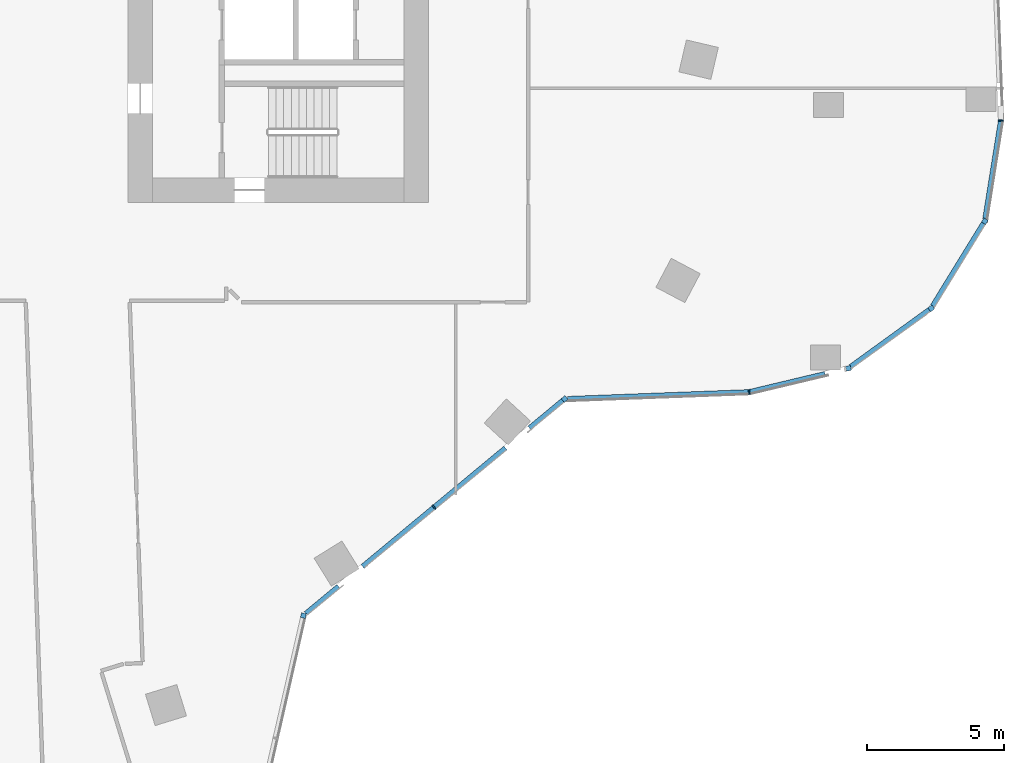
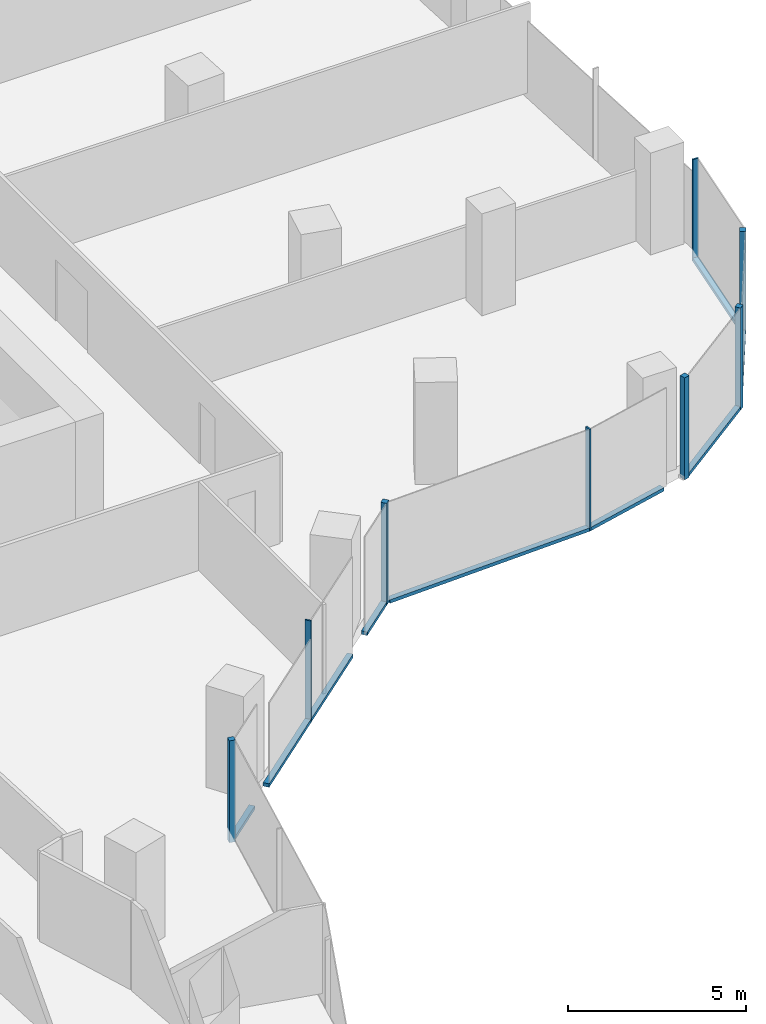
# One storey, part 8 of 23: 16 members, 7 elements without a shape of their own.
"""IFC4 building model written with IfcOpenShell, lengths in metres."""

from ifc_helpers import new_model, si_unit, direction, frame, origin, origin_2d, place, context, subcontext, project, spatial, rectangle, extrude, material, material_profile, profile_set, type_object, element, aggregate, save


model = new_model("IFC4")

# Units and contexts
model_context = context("Model", 3, precision=1e-05, world=origin(), true_north=direction((0.0, 1.0)))
body_context = subcontext(model_context, "Body", "Model", "MODEL_VIEW")
ifc_project = project(units=[si_unit("LENGTHUNIT", "METRE"), si_unit("AREAUNIT", "SQUARE_METRE"), si_unit("VOLUMEUNIT", "CUBIC_METRE"), si_unit("PLANEANGLEUNIT", "RADIAN"), si_unit("MASSUNIT", "GRAM", prefix="KILO")], contexts=[model_context])

# Site, building, storey
site_placement = place(None, origin())
site = spatial("IfcSite", under=ifc_project, at=site_placement, CompositionType="ELEMENT")
building_placement = place(site_placement, origin())
building = spatial("IfcBuilding", under=site, at=building_placement, Name="Orlundy Tower", CompositionType="ELEMENT")
storey_placement = place(building_placement, frame((0.0, 0.0, 181.10009765625)))
storey = spatial("IfcBuildingStorey", under=building, at=storey_placement, Name="L47", CompositionType="ELEMENT", Elevation=181.10009765625)

# Curtain wall, member
ifc_material_1 = material(Name="Aluminium bronze anodised", Category="aluminium")
curtain_wall_type = type_object("IfcCurtainWallType", Name="CW1 wall", PredefinedType="NOTDEFINED", material=ifc_material_1)
curtain_wall_1_placement = place(storey_placement, origin())
curtain_wall_1 = element("IfcCurtainWall", 1, at=curtain_wall_1_placement, inside=storey, type_object=curtain_wall_type, Name="CW1 run 013", PredefinedType="NOTDEFINED")
ifc_material_2 = material(Name="Aluminium bronze anodised", Category="aluminium")
ifc_material_profile_1 = material_profile(ifc_material_2, rectangle(XDim=0.179931640625, YDim=0.179931640625, at=origin_2d()), Name="CW1 corner post 180x180")
ifc_profile_set_1 = profile_set([ifc_material_profile_1], Name="Aluminium bronze anodised")
member_type_1 = type_object("IfcMemberType", Name="CW1 corner post 180x180", PredefinedType="MULLION", material=ifc_profile_set_1)
member_1_placement = place(storey_placement, frame((39.3701171875, -12.69091796875, -0.420166015625), z_axis=(0.0, 0.0, 1.0), x_axis=(0.851824977163, -0.523826505898, 0.0)))
member_1 = element("IfcMember", 2, at=member_1_placement, type_object=member_type_1, Name="CW1 mullion 37", PredefinedType="MULLION", context=body_context, shape_type="SweptSolid", body=[
    extrude(rectangle(XDim=0.179931640625, YDim=0.179931640625, at=origin_2d()), origin(), (0.0, 0.0, 1.0), 3.5),
])

curtain_wall_2_placement = place(storey_placement, origin())
curtain_wall_2 = element("IfcCurtainWall", 3, at=curtain_wall_2_placement, inside=storey, type_object=curtain_wall_type, Name="CW1 run 014", PredefinedType="NOTDEFINED")
member_2_placement = place(storey_placement, frame((37.4091796875, -15.87939453125, -0.420166015625), z_axis=(0.0, 0.0, 1.0), x_axis=(0.586534223909, -0.809924443503, 0.0)))
member_2 = element("IfcMember", 4, at=member_2_placement, type_object=member_type_1, Name="CW1 mullion 38", PredefinedType="MULLION", context=body_context, shape_type="SweptSolid", body=[
    extrude(rectangle(XDim=0.179931640625, YDim=0.179931640625, at=origin_2d()), origin(), (0.0, 0.0, 1.0), 3.5),
])

curtain_wall_3_placement = place(storey_placement, origin())
curtain_wall_3 = element("IfcCurtainWall", 5, at=curtain_wall_3_placement, inside=storey, type_object=curtain_wall_type, Name="CW1 run 015", PredefinedType="NOTDEFINED")
member_3_placement = place(storey_placement, frame((34.37841796875, -18.074462890625, -0.420166015625), z_axis=(0.0, 0.0, 1.0), x_axis=(0.232301349645, -0.972643862343, 0.0)))
member_3 = element("IfcMember", 6, at=member_3_placement, type_object=member_type_1, Name="CW1 mullion 39", PredefinedType="MULLION", context=body_context, shape_type="SweptSolid", body=[
    extrude(rectangle(XDim=0.179931640625, YDim=0.179931640625, at=origin_2d()), origin(), (0.0, 0.0, 1.0), 3.5),
])

curtain_wall_4_placement = place(storey_placement, origin())
curtain_wall_4 = element("IfcCurtainWall", 7, at=curtain_wall_4_placement, inside=storey, type_object=curtain_wall_type, Name="CW1 run 017", PredefinedType="NOTDEFINED")
member_4_placement = place(storey_placement, frame((23.989013671875, -19.19677734375, -0.420166015625), z_axis=(0.0, 0.0, 1.0), x_axis=(0.638331239674, -0.769761799816, 0.0)))
member_4 = element("IfcMember", 8, at=member_4_placement, type_object=member_type_1, Name="CW1 mullion 41", PredefinedType="MULLION", context=body_context, shape_type="SweptSolid", body=[
    extrude(rectangle(XDim=0.179931640625, YDim=0.179931640625, at=origin_2d()), origin(), (0.0, 0.0, 1.0), 3.5),
])

curtain_wall_5_placement = place(storey_placement, origin())
curtain_wall_5 = element("IfcCurtainWall", 9, at=curtain_wall_5_placement, inside=storey, type_object=curtain_wall_type, Name="CW1 run 018", PredefinedType="NOTDEFINED")
member_5_placement = place(storey_placement, frame((14.425048828125, -27.127685546875, -0.420166015625), z_axis=(0.0, 0.0, 1.0), x_axis=(0.975022425628, -0.222106437373, 0.0)))
member_5 = element("IfcMember", 10, at=member_5_placement, type_object=member_type_1, Name="CW1 mullion 43", PredefinedType="MULLION", context=body_context, shape_type="SweptSolid", body=[
    extrude(rectangle(XDim=0.179931640625, YDim=0.179931640625, at=origin_2d()), origin(), (0.0, 0.0, 1.0), 3.5),
])
aggregate(curtain_wall_5, [member_5])

curtain_wall_6_placement = place(storey_placement, origin())
curtain_wall_6 = element("IfcCurtainWall", 11, at=curtain_wall_6_placement, inside=storey, type_object=curtain_wall_type, Name="CW1 run 012", PredefinedType="NOTDEFINED")
ifc_material_3 = material(Name="Aluminium bronze anodised", Category="aluminium")
ifc_material_profile_2 = material_profile(ifc_material_3, rectangle(XDim=0.179931640625, YDim=0.050048828125, at=origin_2d()), Name="CW1 mullion 50x180")
ifc_profile_set_2 = profile_set([ifc_material_profile_2], Name="Aluminium bronze anodised")
member_type_2 = type_object("IfcMemberType", Name="CW1 mullion 50x180", PredefinedType="MULLION", material=ifc_profile_set_2)
member_6_placement = place(storey_placement, frame((39.959228515625, -9.00439453125, -0.420166015625), z_axis=(0.0, 0.0, 1.0), x_axis=(0.998180187769, -0.060301846949, 0.0)))
member_6 = element("IfcMember", 12, at=member_6_placement, type_object=member_type_2, Name="CW1 mullion 36", PredefinedType="MULLION", context=body_context, shape_type="SweptSolid", body=[
    extrude(rectangle(XDim=0.179931640625, YDim=0.050048828125, at=origin_2d()), origin(), (0.0, 0.0, 1.0), 3.5),
])

curtain_wall_7_placement = place(storey_placement, origin())
curtain_wall_7 = element("IfcCurtainWall", 13, at=curtain_wall_7_placement, inside=storey, type_object=curtain_wall_type, Name="CW1 run 016", PredefinedType="NOTDEFINED")
member_7_placement = place(storey_placement, frame((30.747314453125, -18.941650390625, -0.420166015625), z_axis=(0.0, 0.0, 1.0), x_axis=(0.135671936692, -0.990753816846, 0.0)))
member_7 = element("IfcMember", 14, at=member_7_placement, type_object=member_type_2, Name="CW1 mullion 40", PredefinedType="MULLION", context=body_context, shape_type="SweptSolid", body=[
    extrude(rectangle(XDim=0.179931640625, YDim=0.050048828125, at=origin_2d()), origin(), (0.0, 0.0, 1.0), 3.5),
])

# Member
member_8_placement = place(storey_placement, frame((19.20703125, -23.162353515625, -0.420166015625), z_axis=(0.0, 0.0, 1.0), x_axis=(0.638331239674, -0.769761799816, 0.0)))
member_8 = element("IfcMember", 15, at=member_8_placement, type_object=member_type_2, Name="CW1 mullion 42", PredefinedType="MULLION", context=body_context, shape_type="SweptSolid", body=[
    extrude(rectangle(XDim=0.179931640625, YDim=0.050048828125, at=origin_2d()), origin(), (0.0, 0.0, 1.0), 3.5),
])

ifc_material_4 = material(Name="Aluminium bronze anodised", Category="aluminium")
ifc_material_profile_3 = material_profile(ifc_material_4, rectangle(XDim=0.179931640625, YDim=0.1201171875, at=origin_2d()), Name="CW1 transom 180x120")
ifc_profile_set_3 = profile_set([ifc_material_profile_3], Name="Aluminium bronze anodised")
member_type_3 = type_object("IfcMemberType", Name="CW1 transom 180x120", PredefinedType="USERDEFINED", material=ifc_profile_set_3)
member_9_placement = place(storey_placement, frame((39.955322265625, -9.029296875, -0.360107421875), z_axis=(-0.157816447331, -0.987468464789, 0.0), x_axis=(0.987468464789, -0.157816447331, 0.0)))
member_9 = element("IfcMember", 16, at=member_9_placement, type_object=member_type_3, Name="CW1 transom", ObjectType="TRANSOM", PredefinedType="USERDEFINED", context=body_context, shape_type="SweptSolid", body=[
    extrude(rectangle(XDim=0.179931640625, YDim=0.1201171875, at=origin_2d()), origin(), (0.0, 0.0, 1.0), 3.610595703125),
])

aggregate(curtain_wall_6, [member_6, member_9])

member_10_placement = place(storey_placement, frame((39.322998046875, -12.767578125, -0.360107421875), z_axis=(-0.523875220778, -0.851795018214, 0.0), x_axis=(0.851795018214, -0.523875220778, 0.0)))
member_10 = element("IfcMember", 17, at=member_10_placement, type_object=member_type_3, Name="CW1 transom", ObjectType="TRANSOM", PredefinedType="USERDEFINED", context=body_context, shape_type="SweptSolid", body=[
    extrude(rectangle(XDim=0.179931640625, YDim=0.1201171875, at=origin_2d()), origin(), (0.0, 0.0, 1.0), 3.555908203125),
])

aggregate(curtain_wall_1, [member_1, member_10])

member_11_placement = place(storey_placement, frame((37.33642578125, -15.93212890625, -0.360107421875), z_axis=(-0.809901620851, -0.586565737614, 0.0), x_axis=(0.586565737614, -0.809901620851, 0.0)))
member_11 = element("IfcMember", 18, at=member_11_placement, type_object=member_type_3, Name="CW1 transom", ObjectType="TRANSOM", PredefinedType="USERDEFINED", context=body_context, shape_type="SweptSolid", body=[
    extrude(rectangle(XDim=0.179931640625, YDim=0.1201171875, at=origin_2d()), origin(), (0.0, 0.0, 1.0), 3.554931640625),
])

aggregate(curtain_wall_2, [member_2, member_11])

member_12_placement = place(storey_placement, frame((33.521484375, -18.279052734375, -0.360107421875), z_axis=(-0.972643824455, -0.232301508282, 0.0), x_axis=(0.232301508282, -0.972643824455, 0.0)))
member_12 = element("IfcMember", 19, at=member_12_placement, type_object=member_type_3, Name="CW1 transom", ObjectType="TRANSOM", PredefinedType="USERDEFINED", context=body_context, shape_type="SweptSolid", body=[
    extrude(rectangle(XDim=0.179931640625, YDim=0.1201171875, at=origin_2d()), origin(), (0.0, 0.0, 1.0), 2.8271484375),
])

aggregate(curtain_wall_3, [member_3, member_12])

member_13_placement = place(storey_placement, frame((30.72216796875, -18.942626953125, -0.360107421875), z_axis=(-0.999289050554, -0.037701371887, 0.0), x_axis=(0.037701371887, -0.999289050554, 0.0)))
member_13 = element("IfcMember", 20, at=member_13_placement, type_object=member_type_3, Name="CW1 transom", ObjectType="TRANSOM", PredefinedType="USERDEFINED", context=body_context, shape_type="SweptSolid", body=[
    extrude(rectangle(XDim=0.179931640625, YDim=0.1201171875, at=origin_2d()), origin(), (0.0, 0.0, 1.0), 6.62451171875),
])

aggregate(curtain_wall_7, [member_7, member_13])

member_14_placement = place(storey_placement, frame((23.919677734375, -19.254150390625, -0.360107421875), z_axis=(-0.769728291859, -0.638371644665, 0.0), x_axis=(0.638371644665, -0.769728291859, 0.0)))
member_14 = element("IfcMember", 21, at=member_14_placement, type_object=member_type_3, Name="CW1 transom", ObjectType="TRANSOM", PredefinedType="USERDEFINED", context=body_context, shape_type="SweptSolid", body=[
    extrude(rectangle(XDim=0.179931640625, YDim=0.1201171875, at=origin_2d()), origin(), (0.0, 0.0, 1.0), 1.577880859375),
])

member_15_placement = place(storey_placement, frame((21.822021484375, -20.99365234375, -0.360107421875), z_axis=(-0.769750639543, -0.638344697576, 0.0), x_axis=(0.638344697576, -0.769750639543, 0.0)))
member_15 = element("IfcMember", 22, at=member_15_placement, type_object=member_type_3, Name="CW1 transom", ObjectType="TRANSOM", PredefinedType="USERDEFINED", context=body_context, shape_type="SweptSolid", body=[
    extrude(rectangle(XDim=0.179931640625, YDim=0.1201171875, at=origin_2d()), origin(), (0.0, 0.0, 1.0), 6.79443359375),
])

member_16_placement = place(storey_placement, frame((15.708984375, -26.06298828125, -0.360107421875), z_axis=(-0.769763606156, -0.638329061408, 0.0), x_axis=(0.638329061408, -0.769763606156, 0.0)))
member_16 = element("IfcMember", 23, at=member_16_placement, type_object=member_type_3, Name="CW1 transom", ObjectType="TRANSOM", PredefinedType="USERDEFINED", context=body_context, shape_type="SweptSolid", body=[
    extrude(rectangle(XDim=0.179931640625, YDim=0.1201171875, at=origin_2d()), origin(), (0.0, 0.0, 1.0), 1.5546875),
])

aggregate(curtain_wall_4, [member_4, member_8, member_14, member_15, member_16])

save(model, "model.ifc")
